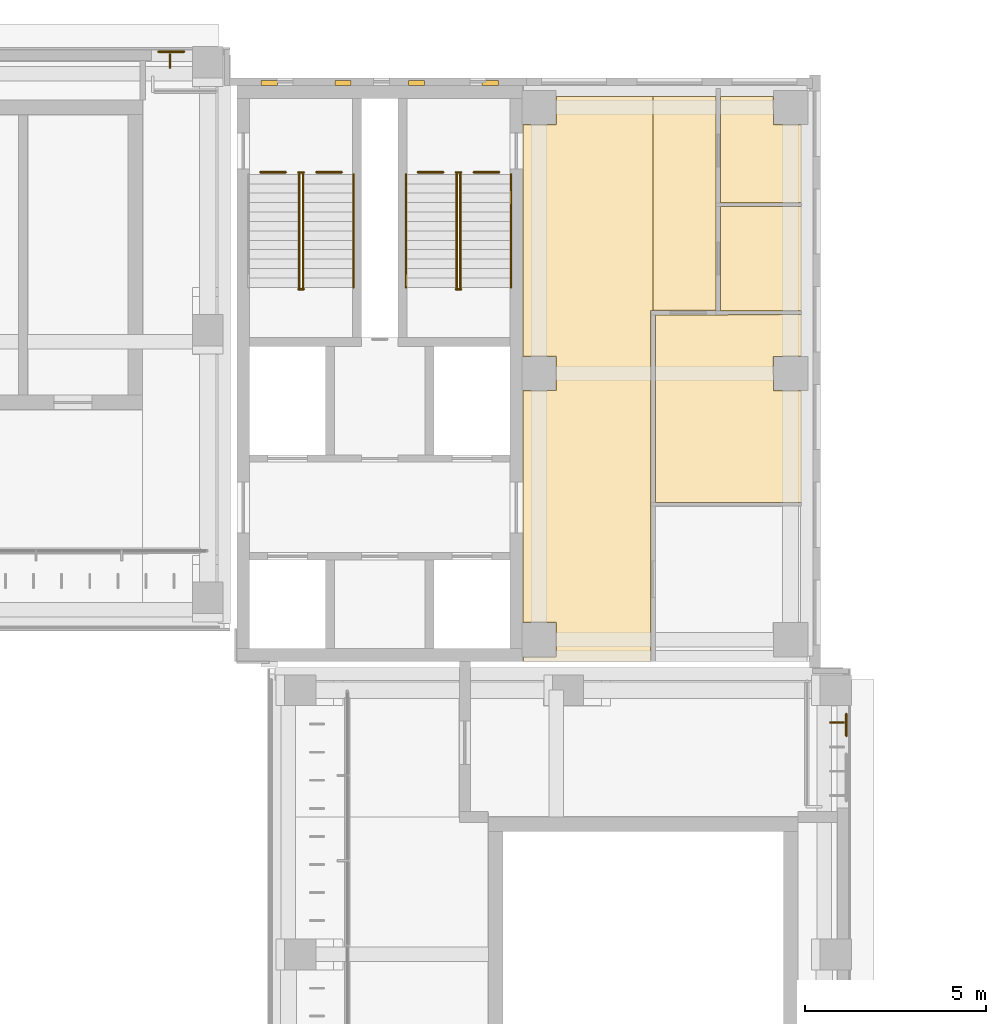
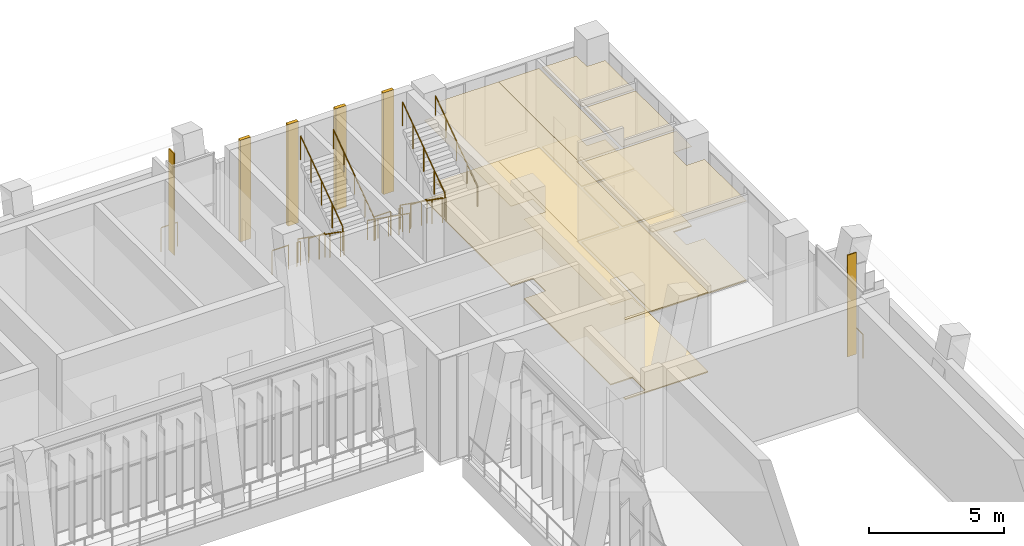
# One storey, part 92 of 92: 17 railings, 14 coverings, 2 shading devices.
"""IFC4 building model written with IfcOpenShell, lengths in metres."""

from ifc_helpers import new_model, si_unit, direction, frame, frame_2d, origin, origin_2d, place, context, subcontext, project, spatial, polyline, rectangle, circle, outline, extrude, material, layer, layer_set, type_object, element, save


model = new_model("IFC4")

# Units and contexts
model_context = context("Model", 3, precision=1e-05, world=origin(), true_north=direction((0.0, 1.0)))
body_context = subcontext(model_context, "Body", "Model", "MODEL_VIEW")
ifc_project = project(units=[si_unit("LENGTHUNIT", "METRE"), si_unit("AREAUNIT", "SQUARE_METRE"), si_unit("VOLUMEUNIT", "CUBIC_METRE"), si_unit("PLANEANGLEUNIT", "RADIAN"), si_unit("MASSUNIT", "GRAM", prefix="KILO")], contexts=[model_context])

# Site, building, storey
site_placement = place(None, origin())
site = spatial("IfcSite", under=ifc_project, at=site_placement, CompositionType="ELEMENT")
building_placement = place(site_placement, origin())
building = spatial("IfcBuilding", under=site, at=building_placement, Name="Lantern Court Media Centre", CompositionType="ELEMENT")
storey_placement = place(building_placement, frame((0.0, 0.0, 4.800048828125)))
storey = spatial("IfcBuildingStorey", under=building, at=storey_placement, Name="L01", CompositionType="ELEMENT", Elevation=4.800048828125)

# Coverings
ifc_material_1 = material(Name="Carpet")
ifc_layer_1 = layer(ifc_material_1, 0.050048828125)
ifc_layer_set_1 = layer_set([ifc_layer_1], Name="Carpet")
covering_type_1 = type_object("IfcCoveringType", Name="Carpet floor finish", PredefinedType="FLOORING", material=ifc_layer_set_1)
covering_1_placement = place(storey_placement, origin())
element("IfcCovering", 1, at=covering_1_placement, inside=storey, type_object=covering_type_1, Name="Broadcast Programming Office 02 floor finish", PredefinedType="FLOORING", context=body_context, shape_type="SweptSolid", body=[
    extrude(outline(polyline([(95.699951171875, 100.488037109375), (91.66748046875, 100.488037109375), (91.66748046875, 105.66259765625), (95.699951171875, 105.675048828125), (95.699951171875, 104.530029296875), (94.919921875, 104.52490234375), (94.921142578125, 103.57177734375), (95.699951171875, 103.570068359375), (95.699951171875, 100.488037109375)])), origin(), (0.0, 0.0, 1.0), 0.050048828125),
])
covering_2_placement = place(storey_placement, origin())
element("IfcCovering", 2, at=covering_2_placement, inside=storey, type_object=covering_type_1, Name="WC Male floor finish", PredefinedType="FLOORING", context=body_context, shape_type="SweptSolid", body=[
    extrude(outline(polyline([(95.699951171875, 108.77001953125), (93.467529296875, 108.77001953125), (93.467529296875, 111.699951171875), (94.919921875, 111.699951171875), (94.92138671875, 110.92138671875), (95.699951171875, 110.919921875), (95.699951171875, 108.77001953125)])), origin(), (0.0, 0.0, 1.0), 0.050048828125),
])
covering_3_placement = place(storey_placement, origin())
element("IfcCovering", 3, at=covering_3_placement, inside=storey, type_object=covering_type_1, Name="WC Female floor finish", PredefinedType="FLOORING", context=body_context, shape_type="SweptSolid", body=[
    extrude(outline(polyline([(95.699951171875, 105.784912109375), (93.467529296875, 105.784912109375), (93.467529296875, 108.659912109375), (95.699951171875, 108.659912109375), (95.699951171875, 105.784912109375)])), origin(), (0.0, 0.0, 1.0), 0.050048828125),
])

# Railings
ifc_material_2 = material(Name="Powder-coated steel", Category="steel")
railing_type_1 = type_object("IfcRailingType", Name="Floor edge guard 1100", PredefinedType="GUARDRAIL", material=ifc_material_2)
railing_1_placement = place(storey_placement, frame((85.10009765625, 109.609619140625, 0.0)))
element("IfcRailing", 4, at=railing_1_placement, inside=storey, type_object=railing_type_1, Name="L01 opening guard 57", PredefinedType="GUARDRAIL", context=body_context, shape_type="SweptSolid", body=[
    extrude(circle(Radius=0.02392578125, at=origin_2d()), frame((0.0, 0.0, 1.076171875), z_axis=(1.0, 0.0, 0.0), x_axis=(0.0, 1.0, 0.0)), (0.0, 0.0, 1.0), 0.70361328125),
    extrude(circle(Radius=0.02099609375, at=origin_2d()), origin(), (0.0, 0.0, 1.0), 1.052001953125),
    extrude(circle(Radius=0.02099609375, at=origin_2d()), frame((0.70361328125, 0.0, 0.0)), (0.0, 0.0, 1.0), 1.052001953125),
])
railing_2_placement = place(storey_placement, frame((86.646240234375, 109.609619140625, 0.0)))
element("IfcRailing", 5, at=railing_2_placement, inside=storey, type_object=railing_type_1, Name="L01 opening guard 58", PredefinedType="GUARDRAIL", context=body_context, shape_type="SweptSolid", body=[
    extrude(circle(Radius=0.02392578125, at=origin_2d()), frame((0.0, 0.0, 1.076171875), z_axis=(1.0, 0.0, 0.0), x_axis=(0.0, 1.0, 0.0)), (0.0, 0.0, 1.0), 0.703857421875),
    extrude(circle(Radius=0.02099609375, at=origin_2d()), origin(), (0.0, 0.0, 1.0), 1.052001953125),
    extrude(circle(Radius=0.02099609375, at=origin_2d()), frame((0.703857421875, 0.0, 0.0)), (0.0, 0.0, 1.0), 1.052001953125),
])
for number, where, name in (
    (6, (80.75, 109.609619140625, 0.0), "L01 opening guard 59"),
    (7, (82.29638671875, 109.609619140625, 0.0), "L01 opening guard 60"),
):
    element("IfcRailing", number, at=place(storey_placement, frame(where)), inside=storey, type_object=railing_type_1, Name=name, PredefinedType="GUARDRAIL", context=body_context, shape_type="SweptSolid", body=[
        extrude(circle(Radius=0.02392578125, at=origin_2d()), frame((0.0, 0.0, 1.076171875), z_axis=(1.0, 0.0, 0.0), x_axis=(0.0, 1.0, 0.0)), (0.0, 0.0, 1.0), 0.70361328125),
        extrude(circle(Radius=0.02099609375, at=origin_2d()), origin(), (0.0, 0.0, 1.0), 1.052001953125),
        extrude(circle(Radius=0.02099609375, at=origin_2d()), frame((0.70361328125, 0.0, 0.0)), (0.0, 0.0, 1.0), 1.052001953125),
    ])
railing_3_placement = place(storey_placement, frame((77.94091796875, 112.93994140625, 0.0)))
element("IfcRailing", 8, at=railing_3_placement, inside=storey, type_object=railing_type_1, Name="L01 edge guard 24", PredefinedType="GUARDRAIL", context=body_context, shape_type="SweptSolid", body=[
    extrude(circle(Radius=0.02392578125, at=origin_2d()), frame((0.0, 0.0, 1.076171875), z_axis=(1.0, 0.0, 0.0), x_axis=(0.0, 1.0, 0.0)), (0.0, 0.0, 1.0), 0.7001953125),
    extrude(circle(Radius=0.02099609375, at=origin_2d()), origin(), (0.0, 0.0, 1.0), 1.052001953125),
    extrude(circle(Radius=0.02099609375, at=origin_2d()), frame((0.7001953125, 0.0, 0.0)), (0.0, 0.0, 1.0), 1.052001953125),
])
railing_4_placement = place(storey_placement, frame((96.93994140625, 94.64111328125, 0.0)))
element("IfcRailing", 9, at=railing_4_placement, inside=storey, type_object=railing_type_1, Name="L01 edge guard 29", PredefinedType="GUARDRAIL", context=body_context, shape_type="SweptSolid", body=[
    extrude(circle(Radius=0.02392578125, at=origin_2d()), frame((0.0, 0.0, 1.076171875), z_axis=(0.0, -1.0, 0.0), x_axis=(1.0, 0.0, 0.0)), (0.0, 0.0, 1.0), 0.60009765625),
    extrude(circle(Radius=0.02099609375, at=origin_2d()), origin(), (0.0, 0.0, 1.0), 1.052001953125),
    extrude(circle(Radius=0.02099609375, at=origin_2d()), frame((0.0, -0.60009765625, 0.0)), (0.0, 0.0, 1.0), 1.052001953125),
])

# Coverings
ifc_material_3 = material(Name="Honed limestone cladding", Category="masonry")
ifc_layer_2 = layer(ifc_material_3, 0.14990234375)
ifc_layer_set_2 = layer_set([ifc_layer_2], Name="Honed limestone cladding")
covering_type_2 = type_object("IfcCoveringType", Name="Limestone pilaster cladding 150", PredefinedType="CLADDING", material=ifc_layer_set_2)
covering_4_placement = place(storey_placement, frame((80.77490234375, 112.074951171875, 0.0), z_axis=(0.0, 0.0, 1.0), x_axis=(1.0, 0.0, 0.0)))
element("IfcCovering", 10, at=covering_4_placement, inside=storey, type_object=covering_type_2, Name="Limestone pilaster rib", PredefinedType="CLADDING", context=body_context, shape_type="SweptSolid", body=[
    extrude(rectangle(XDim=0.4501953125, YDim=0.14990234375, at=frame_2d((0.22509765625, 0.0))), origin(), (0.0, 0.0, 1.0), 4.579833984375),
])
covering_5_placement = place(storey_placement, frame((82.808349609375, 112.074951171875, 0.0), z_axis=(0.0, 0.0, 1.0), x_axis=(1.0, 0.0, 0.0)))
element("IfcCovering", 11, at=covering_5_placement, inside=storey, type_object=covering_type_2, Name="Limestone pilaster rib", PredefinedType="CLADDING", context=body_context, shape_type="SweptSolid", body=[
    extrude(rectangle(XDim=0.449951171875, YDim=0.14990234375, at=frame_2d((0.22509765625, 0.0))), origin(), (0.0, 0.0, 1.0), 4.579833984375),
])
covering_6_placement = place(storey_placement, frame((84.841552734375, 112.074951171875, 0.0), z_axis=(0.0, 0.0, 1.0), x_axis=(1.0, 0.0, 0.0)))
element("IfcCovering", 12, at=covering_6_placement, inside=storey, type_object=covering_type_2, Name="Limestone pilaster rib", PredefinedType="CLADDING", context=body_context, shape_type="SweptSolid", body=[
    extrude(rectangle(XDim=0.4501953125, YDim=0.14990234375, at=frame_2d((0.22509765625, 0.0))), origin(), (0.0, 0.0, 1.0), 4.579833984375),
])
covering_7_placement = place(storey_placement, frame((86.875, 112.074951171875, 0.0), z_axis=(0.0, 0.0, 1.0), x_axis=(1.0, 0.0, 0.0)))
element("IfcCovering", 13, at=covering_7_placement, inside=storey, type_object=covering_type_2, Name="Limestone pilaster rib", PredefinedType="CLADDING", context=body_context, shape_type="SweptSolid", body=[
    extrude(rectangle(XDim=0.449951171875, YDim=0.14990234375, at=frame_2d((0.22509765625, 0.0))), origin(), (0.0, 0.0, 1.0), 4.579833984375),
])

# Railings
railing_type_2 = type_object("IfcRailingType", Name="Stair guard 1100", PredefinedType="GUARDRAIL", material=ifc_material_2)
railing_5_placement = place(storey_placement, frame((86.174072265625, 109.550048828125, 0.1845703125)))
element("IfcRailing", 14, at=railing_5_placement, inside=storey, type_object=railing_type_2, Name="L01 ST-NEA stair guard 1", PredefinedType="GUARDRAIL", context=body_context, shape_type="SweptSolid", body=[
    extrude(circle(Radius=0.02392578125, at=origin_2d()), frame((0.0, 0.0, 1.076171875), z_axis=(0.0, -0.815376961211, 0.578930402662), x_axis=(1.0, 0.0, 0.0)), (0.0, 0.0, 1.0), 3.82666015625),
    extrude(circle(Radius=0.02099609375, at=origin_2d()), origin(), (0.0, 0.0, 1.0), 1.052001953125),
    extrude(circle(Radius=0.02099609375, at=origin_2d()), frame((0.0, -0.780029296875, 0.5537109375)), (0.0, 0.0, 1.0), 1.052001953125),
    extrude(circle(Radius=0.02099609375, at=origin_2d()), frame((0.0, -1.56005859375, 1.107666015625)), (0.0, 0.0, 1.0), 1.052001953125),
    extrude(circle(Radius=0.02099609375, at=origin_2d()), frame((0.0, -2.340087890625, 1.66162109375)), (0.0, 0.0, 1.0), 1.052001953125),
    extrude(circle(Radius=0.02099609375, at=origin_2d()), frame((0.0, -3.1201171875, 2.21533203125)), (0.0, 0.0, 1.0), 1.052001953125),
])
railing_6_placement = place(storey_placement, frame((86.14990234375, 106.3798828125, 2.39990234375)))
element("IfcRailing", 15, at=railing_6_placement, inside=storey, type_object=railing_type_2, Name="L01 ST-NEA stair guard 2", PredefinedType="GUARDRAIL", context=body_context, shape_type="SweptSolid", body=[
    extrude(circle(Radius=0.02392578125, at=origin_2d()), frame((0.0, 0.0, 1.076171875), z_axis=(1.0, 0.0, 0.0), x_axis=(0.0, 1.0, 0.0)), (0.0, 0.0, 1.0), 0.150146484375),
    extrude(circle(Radius=0.02099609375, at=origin_2d()), origin(), (0.0, 0.0, 1.0), 1.052001953125),
    extrude(circle(Radius=0.02099609375, at=origin_2d()), frame((0.150146484375, 0.0, 0.0)), (0.0, 0.0, 1.0), 1.052001953125),
])
railing_7_placement = place(storey_placement, frame((86.27587890625, 106.429931640625, 2.58447265625)))
element("IfcRailing", 16, at=railing_7_placement, inside=storey, type_object=railing_type_2, Name="L01 ST-NEA stair guard 3", PredefinedType="GUARDRAIL", context=body_context, shape_type="SweptSolid", body=[
    extrude(circle(Radius=0.02392578125, at=origin_2d()), frame((0.0, 0.0, 1.076171875), z_axis=(0.0, 0.815346844174, 0.578972817752), x_axis=(-1.0, 0.0, 0.0)), (0.0, 0.0, 1.0), 3.82666015625),
    extrude(circle(Radius=0.02099609375, at=origin_2d()), origin(), (0.0, 0.0, 1.0), 1.052001953125),
    extrude(circle(Radius=0.02099609375, at=origin_2d()), frame((0.0, 0.780029296875, 0.553955078125)), (0.0, 0.0, 1.0), 1.052001953125),
    extrude(circle(Radius=0.02099609375, at=origin_2d()), frame((0.0, 1.56005859375, 1.10791015625)), (0.0, 0.0, 1.0), 1.052001953125),
    extrude(circle(Radius=0.02099609375, at=origin_2d()), frame((0.0, 2.340087890625, 1.66162109375)), (0.0, 0.0, 1.0), 1.052001953125),
    extrude(circle(Radius=0.02099609375, at=origin_2d()), frame((0.0, 3.1201171875, 2.215576171875)), (0.0, 0.0, 1.0), 1.052001953125),
])
railing_8_placement = place(storey_placement, frame((86.14990234375, 109.60009765625, 0.0)))
element("IfcRailing", 17, at=railing_8_placement, inside=storey, type_object=railing_type_2, Name="L01 ST-NEA stair guard 4", PredefinedType="GUARDRAIL", context=body_context, shape_type="SweptSolid", body=[
    extrude(circle(Radius=0.02392578125, at=origin_2d()), frame((0.0, 0.0, 1.076171875), z_axis=(1.0, 0.0, 0.0), x_axis=(0.0, 1.0, 0.0)), (0.0, 0.0, 1.0), 0.150146484375),
    extrude(circle(Radius=0.02099609375, at=origin_2d()), origin(), (0.0, 0.0, 1.0), 1.052001953125),
    extrude(circle(Radius=0.02099609375, at=origin_2d()), frame((0.150146484375, 0.0, 0.0)), (0.0, 0.0, 1.0), 1.052001953125),
])
railing_9_placement = place(storey_placement, frame((81.823974609375, 109.550048828125, 0.1845703125)))
element("IfcRailing", 18, at=railing_9_placement, inside=storey, type_object=railing_type_2, Name="L01 ST-NEB stair guard 1", PredefinedType="GUARDRAIL", context=body_context, shape_type="SweptSolid", body=[
    extrude(circle(Radius=0.02392578125, at=origin_2d()), frame((0.0, 0.0, 1.076171875), z_axis=(0.0, -0.815376961211, 0.578930402662), x_axis=(1.0, 0.0, 0.0)), (0.0, 0.0, 1.0), 3.82666015625),
    extrude(circle(Radius=0.02099609375, at=origin_2d()), origin(), (0.0, 0.0, 1.0), 1.052001953125),
    extrude(circle(Radius=0.02099609375, at=origin_2d()), frame((0.0, -0.780029296875, 0.5537109375)), (0.0, 0.0, 1.0), 1.052001953125),
    extrude(circle(Radius=0.02099609375, at=origin_2d()), frame((0.0, -1.56005859375, 1.107666015625)), (0.0, 0.0, 1.0), 1.052001953125),
    extrude(circle(Radius=0.02099609375, at=origin_2d()), frame((0.0, -2.340087890625, 1.66162109375)), (0.0, 0.0, 1.0), 1.052001953125),
    extrude(circle(Radius=0.02099609375, at=origin_2d()), frame((0.0, -3.1201171875, 2.21533203125)), (0.0, 0.0, 1.0), 1.052001953125),
])
railing_10_placement = place(storey_placement, frame((81.800048828125, 106.3798828125, 2.39990234375)))
element("IfcRailing", 19, at=railing_10_placement, inside=storey, type_object=railing_type_2, Name="L01 ST-NEB stair guard 2", PredefinedType="GUARDRAIL", context=body_context, shape_type="SweptSolid", body=[
    extrude(circle(Radius=0.02392578125, at=origin_2d()), frame((0.0, 0.0, 1.076171875), z_axis=(1.0, 0.0, 0.0), x_axis=(0.0, 1.0, 0.0)), (0.0, 0.0, 1.0), 0.14990234375),
    extrude(circle(Radius=0.02099609375, at=origin_2d()), origin(), (0.0, 0.0, 1.0), 1.052001953125),
    extrude(circle(Radius=0.02099609375, at=origin_2d()), frame((0.14990234375, 0.0, 0.0)), (0.0, 0.0, 1.0), 1.052001953125),
])
railing_11_placement = place(storey_placement, frame((81.926025390625, 106.429931640625, 2.58447265625)))
element("IfcRailing", 20, at=railing_11_placement, inside=storey, type_object=railing_type_2, Name="L01 ST-NEB stair guard 3", PredefinedType="GUARDRAIL", context=body_context, shape_type="SweptSolid", body=[
    extrude(circle(Radius=0.02392578125, at=origin_2d()), frame((0.0, 0.0, 1.076171875), z_axis=(0.0, 0.815346844174, 0.578972817752), x_axis=(-1.0, 0.0, 0.0)), (0.0, 0.0, 1.0), 3.82666015625),
    extrude(circle(Radius=0.02099609375, at=origin_2d()), origin(), (0.0, 0.0, 1.0), 1.052001953125),
    extrude(circle(Radius=0.02099609375, at=origin_2d()), frame((0.0, 0.780029296875, 0.553955078125)), (0.0, 0.0, 1.0), 1.052001953125),
    extrude(circle(Radius=0.02099609375, at=origin_2d()), frame((0.0, 1.56005859375, 1.10791015625)), (0.0, 0.0, 1.0), 1.052001953125),
    extrude(circle(Radius=0.02099609375, at=origin_2d()), frame((0.0, 2.340087890625, 1.66162109375)), (0.0, 0.0, 1.0), 1.052001953125),
    extrude(circle(Radius=0.02099609375, at=origin_2d()), frame((0.0, 3.1201171875, 2.215576171875)), (0.0, 0.0, 1.0), 1.052001953125),
])
railing_12_placement = place(storey_placement, frame((81.800048828125, 109.60009765625, 0.0)))
element("IfcRailing", 21, at=railing_12_placement, inside=storey, type_object=railing_type_2, Name="L01 ST-NEB stair guard 4", PredefinedType="GUARDRAIL", context=body_context, shape_type="SweptSolid", body=[
    extrude(circle(Radius=0.02392578125, at=origin_2d()), frame((0.0, 0.0, 1.076171875), z_axis=(1.0, 0.0, 0.0), x_axis=(0.0, 1.0, 0.0)), (0.0, 0.0, 1.0), 0.14990234375),
    extrude(circle(Radius=0.02099609375, at=origin_2d()), origin(), (0.0, 0.0, 1.0), 1.052001953125),
    extrude(circle(Radius=0.02099609375, at=origin_2d()), frame((0.14990234375, 0.0, 0.0)), (0.0, 0.0, 1.0), 1.052001953125),
])
railing_type_3 = type_object("IfcRailingType", Name="Stair handrail 900", PredefinedType="HANDRAIL", material=ifc_material_2)
railing_13_placement = place(storey_placement, frame((84.77587890625, 109.550048828125, 0.1845703125)))
element("IfcRailing", 22, at=railing_13_placement, inside=storey, type_object=railing_type_3, Name="L01 ST-NEA stair handrail 1", PredefinedType="HANDRAIL", context=body_context, shape_type="SweptSolid", body=[
    extrude(circle(Radius=0.02392578125, at=origin_2d()), frame((0.0, 0.0, 0.8759765625), z_axis=(0.0, -0.815376961211, 0.578930402662), x_axis=(1.0, 0.0, 0.0)), (0.0, 0.0, 1.0), 3.82666015625),
    extrude(circle(Radius=0.02099609375, at=origin_2d()), origin(), (0.0, 0.0, 1.0), 0.851806640625),
    extrude(circle(Radius=0.02099609375, at=origin_2d()), frame((0.0, -0.780029296875, 0.5537109375)), (0.0, 0.0, 1.0), 0.851806640625),
    extrude(circle(Radius=0.02099609375, at=origin_2d()), frame((0.0, -1.56005859375, 1.107666015625)), (0.0, 0.0, 1.0), 0.851806640625),
    extrude(circle(Radius=0.02099609375, at=origin_2d()), frame((0.0, -2.340087890625, 1.66162109375)), (0.0, 0.0, 1.0), 0.851806640625),
    extrude(circle(Radius=0.02099609375, at=origin_2d()), frame((0.0, -3.1201171875, 2.21533203125)), (0.0, 0.0, 1.0), 0.851806640625),
])
for number, where, name in (
    (23, (87.674072265625, 106.429931640625, 2.58447265625), "L01 ST-NEA stair handrail 2"),
    (24, (83.323974609375, 106.429931640625, 2.58447265625), "L01 ST-NEB stair handrail 2"),
):
    element("IfcRailing", number, at=place(storey_placement, frame(where)), inside=storey, type_object=railing_type_3, Name=name, PredefinedType="HANDRAIL", context=body_context, shape_type="SweptSolid", body=[
        extrude(circle(Radius=0.02392578125, at=origin_2d()), frame((0.0, 0.0, 0.8759765625), z_axis=(0.0, 0.815346844174, 0.578972817752), x_axis=(-1.0, 0.0, 0.0)), (0.0, 0.0, 1.0), 3.82666015625),
        extrude(circle(Radius=0.02099609375, at=origin_2d()), origin(), (0.0, 0.0, 1.0), 0.851806640625),
        extrude(circle(Radius=0.02099609375, at=origin_2d()), frame((0.0, 0.780029296875, 0.553955078125)), (0.0, 0.0, 1.0), 0.851806640625),
        extrude(circle(Radius=0.02099609375, at=origin_2d()), frame((0.0, 1.56005859375, 1.10791015625)), (0.0, 0.0, 1.0), 0.851806640625),
        extrude(circle(Radius=0.02099609375, at=origin_2d()), frame((0.0, 2.340087890625, 1.66162109375)), (0.0, 0.0, 1.0), 0.851806640625),
        extrude(circle(Radius=0.02099609375, at=origin_2d()), frame((0.0, 3.1201171875, 2.215576171875)), (0.0, 0.0, 1.0), 0.851806640625),
    ])

# Coverings
ifc_material_4 = material(Name="Mineral fibre ceiling tile")
ifc_layer_3 = layer(ifc_material_4, 0.02001953125)
ifc_layer_set_3 = layer_set([ifc_layer_3], Name="Mineral fibre ceiling tile")
covering_type_3 = type_object("IfcCoveringType", Name="Suspended ceiling tile", PredefinedType="CEILING", material=ifc_layer_set_3)
covering_8_placement = place(storey_placement, frame((0.0, 0.0, 3.599853515625)))
element("IfcCovering", 25, at=covering_8_placement, inside=storey, type_object=covering_type_3, Name="Corridor ceiling", PredefinedType="CEILING", context=body_context, shape_type="SweptSolid", body=[
    extrude(outline(polyline([(91.60009765625, 111.699951171875), (91.60009765625, 105.79296875), (91.537109375, 105.79248046875), (91.537109375, 96.10009765625), (88.00048828125, 96.10009765625), (88.00048828125, 96.224609375), (88.925537109375, 96.22509765625), (88.92529296875, 97.17529296875), (88.00048828125, 97.175537109375), (88.00048828125, 103.574462890625), (88.925537109375, 103.574951171875), (88.92529296875, 104.525390625), (88.00048828125, 104.525390625), (88.00048828125, 110.924560546875), (88.92529296875, 110.924560546875), (88.925537109375, 111.699951171875), (91.60009765625, 111.699951171875)])), origin(), (0.0, 0.0, 1.0), 0.02001953125),
])
covering_9_placement = place(storey_placement, frame((0.0, 0.0, 3.599853515625)))
element("IfcCovering", 26, at=covering_9_placement, inside=storey, type_object=covering_type_3, Name="Broadcast Programming Office 02 ceiling", PredefinedType="CEILING", context=body_context, shape_type="SweptSolid", body=[
    extrude(outline(polyline([(95.699951171875, 100.4833984375), (91.6630859375, 100.4833984375), (91.6630859375, 105.6669921875), (95.699951171875, 105.679443359375), (95.699951171875, 104.525390625), (94.924560546875, 104.52490234375), (94.924560546875, 103.57470703125), (95.699951171875, 103.574462890625), (95.699951171875, 100.4833984375)])), origin(), (0.0, 0.0, 1.0), 0.02001953125),
])
covering_10_placement = place(storey_placement, frame((0.0, 0.0, 3.599853515625)))
element("IfcCovering", 27, at=covering_10_placement, inside=storey, type_object=covering_type_3, Name="WC Lobby ceiling", PredefinedType="CEILING", context=body_context, shape_type="SweptSolid", body=[
    extrude(outline(polyline([(91.60009765625, 111.699951171875), (93.3369140625, 111.699951171875), (93.3369140625, 105.79296875), (91.60009765625, 105.79296875), (91.60009765625, 111.699951171875)])), origin(), (0.0, 0.0, 1.0), 0.02001953125),
])
covering_11_placement = place(storey_placement, frame((0.0, 0.0, 3.599853515625)))
element("IfcCovering", 28, at=covering_11_placement, inside=storey, type_object=covering_type_3, Name="WC Male ceiling", PredefinedType="CEILING", context=body_context, shape_type="SweptSolid", body=[
    extrude(outline(polyline([(95.699951171875, 108.765380859375), (93.462890625, 108.765380859375), (93.462890625, 111.699951171875), (94.924560546875, 111.699951171875), (94.924560546875, 110.924560546875), (95.699951171875, 110.924560546875), (95.699951171875, 108.765380859375)])), origin(), (0.0, 0.0, 1.0), 0.02001953125),
])
covering_12_placement = place(storey_placement, frame((0.0, 0.0, 3.599853515625)))
element("IfcCovering", 29, at=covering_12_placement, inside=storey, type_object=covering_type_3, Name="WC Female ceiling", PredefinedType="CEILING", context=body_context, shape_type="SweptSolid", body=[
    extrude(outline(polyline([(95.699951171875, 105.780517578125), (93.462890625, 105.780517578125), (93.462890625, 108.66455078125), (95.699951171875, 108.66455078125), (95.699951171875, 105.780517578125)])), origin(), (0.0, 0.0, 1.0), 0.02001953125),
])
ifc_material_5 = material(Name="Terrazzo")
ifc_layer_4 = layer(ifc_material_5, 0.050048828125)
ifc_layer_set_4 = layer_set([ifc_layer_4], Name="Terrazzo")
covering_type_4 = type_object("IfcCoveringType", Name="Terrazzo floor finish", PredefinedType="FLOORING", material=ifc_layer_set_4)
covering_13_placement = place(storey_placement, origin())
element("IfcCovering", 30, at=covering_13_placement, inside=storey, type_object=covering_type_4, Name="Corridor floor finish", PredefinedType="FLOORING", context=body_context, shape_type="SweptSolid", body=[
    extrude(outline(polyline([(91.60009765625, 111.699951171875), (91.60009765625, 105.797607421875), (91.532470703125, 105.79248046875), (91.532470703125, 96.10009765625), (88.0048828125, 96.10009765625), (88.0048828125, 96.219970703125), (88.929931640625, 96.22509765625), (88.928466796875, 97.178466796875), (88.0048828125, 97.179931640625), (88.0048828125, 103.570068359375), (88.929931640625, 103.574951171875), (88.928466796875, 104.528564453125), (88.0048828125, 104.530029296875), (88.0048828125, 110.919921875), (88.92822265625, 110.921142578125), (88.929931640625, 111.699951171875), (91.60009765625, 111.699951171875)])), origin(), (0.0, 0.0, 1.0), 0.050048828125),
])
covering_14_placement = place(storey_placement, origin())
element("IfcCovering", 31, at=covering_14_placement, inside=storey, type_object=covering_type_4, Name="WC Lobby floor finish", PredefinedType="FLOORING", context=body_context, shape_type="SweptSolid", body=[
    extrude(outline(polyline([(91.60009765625, 111.699951171875), (93.33251953125, 111.699951171875), (93.33251953125, 105.797607421875), (91.60009765625, 105.797607421875), (91.60009765625, 111.699951171875)])), origin(), (0.0, 0.0, 1.0), 0.050048828125),
])

# Shading devices
ifc_material_6 = material(Name="Bronze anodised aluminium louvre", Category="aluminium")
ifc_layer_5 = layer(ifc_material_6, 0.0400390625)
ifc_layer_set_5 = layer_set([ifc_layer_5], Name="Bronze anodised aluminium louvre")
shading_device_type = type_object("IfcShadingDeviceType", Name="Vertical louvre 40x400 full storey", PredefinedType="USERDEFINED", material=ifc_layer_set_5)
shading_device_1_placement = place(storey_placement, frame((78.25, 112.679931640625, 0.0), z_axis=(0.0, 0.0, 1.0), x_axis=(1.0, 0.0, 0.0)))
element("IfcShadingDevice", 32, at=shading_device_1_placement, inside=storey, type_object=shading_device_type, Name="Vertical louvre N outer L01", ObjectType="VERTICAL LOUVRE", PredefinedType="USERDEFINED", context=body_context, shape_type="SweptSolid", body=[
    extrude(rectangle(XDim=0.0400390625, YDim=0.39990234375, at=origin_2d()), origin(), (0.0, 0.0, 1.0), 4.580078125),
])
shading_device_2_placement = place(storey_placement, frame((96.679931640625, 94.41259765625, 0.0), z_axis=(0.0, 0.0, 1.0), x_axis=(1.0, 0.0, 0.0)))
element("IfcShadingDevice", 33, at=shading_device_2_placement, inside=storey, type_object=shading_device_type, Name="Vertical louvre E outer L01", ObjectType="VERTICAL LOUVRE", PredefinedType="USERDEFINED", context=body_context, shape_type="SweptSolid", body=[
    extrude(rectangle(XDim=0.39990234375, YDim=0.0400390625, at=origin_2d()), origin(), (0.0, 0.0, 1.0), 4.580078125),
])

save(model, "model.ifc")
